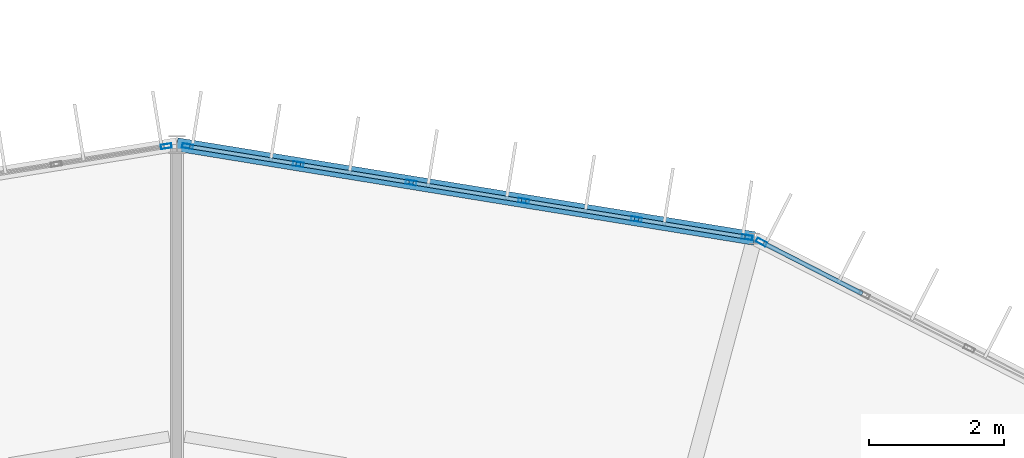
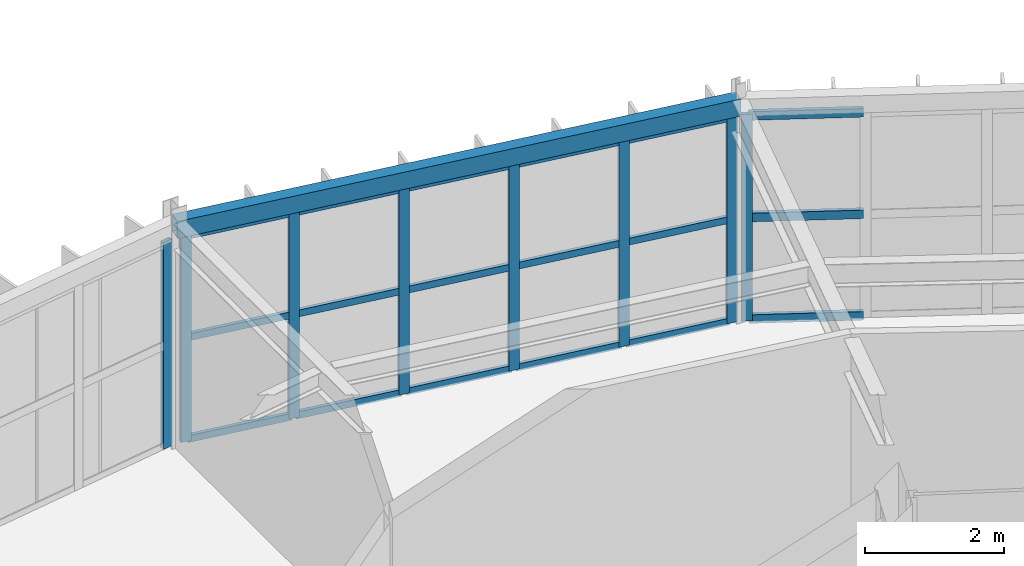
# One storey, part 79 of 130: 26 members, 1 beam, 3 elements without a shape of their own.
"""IFC4 building model written with IfcOpenShell, lengths in metres."""

from ifc_helpers import new_model, si_unit, direction, frame, origin, origin_2d, place, context, subcontext, project, spatial, hollow_rectangle, extrude, material, material_profile, profile_set, type_object, element, aggregate, save


model = new_model("IFC4")

# Units and contexts
model_context = context("Model", 3, precision=1e-05, world=origin(), true_north=direction((0.0, 1.0)))
body_context = subcontext(model_context, "Body", "Model", "MODEL_VIEW")
ifc_project = project(units=[si_unit("LENGTHUNIT", "METRE"), si_unit("AREAUNIT", "SQUARE_METRE"), si_unit("VOLUMEUNIT", "CUBIC_METRE"), si_unit("PLANEANGLEUNIT", "RADIAN"), si_unit("MASSUNIT", "GRAM", prefix="KILO")], contexts=[model_context])

# Site, building, storey
site_placement = place(None, origin())
site = spatial("IfcSite", under=ifc_project, at=site_placement, CompositionType="ELEMENT")
building_placement = place(site_placement, origin())
building = spatial("IfcBuilding", under=site, at=building_placement, Name="Karori Crest Natural Sciences Institute", CompositionType="ELEMENT")
storey_placement = place(building_placement, frame((0.0, 0.0, 17.5)))
storey = spatial("IfcBuildingStorey", under=building, at=storey_placement, Name="L04", CompositionType="ELEMENT", Elevation=17.5)

# Beam
ifc_material_1 = material(Name="Hollow structural steel AS/NZS 1163 Grade C350", Category="steel")
ifc_material_profile_1 = material_profile(ifc_material_1, hollow_rectangle(XDim=0.199951171875, YDim=0.300048828125, WallThickness=0.010009765625, at=origin_2d()), Name="RHS300x200x10")
ifc_profile_set_1 = profile_set([ifc_material_profile_1], Name="Hollow structural steel AS/NZS 1163 Grade C350")
beam_type = type_object("IfcBeamType", Name="BT-15", PredefinedType="SPANDREL", material=ifc_profile_set_1)
beam_placement = place(storey_placement, frame((74.94091796875, 89.309814453125, 3.7900390625), z_axis=(-0.987012055933, 0.160646199591, 0.0), x_axis=(-0.160646199591, -0.987012055933, 0.0)))
element("IfcBeam", 1, at=beam_placement, inside=storey, type_object=beam_type, Name="Beam B-0469", PredefinedType="SPANDREL", context=body_context, shape_type="SweptSolid", body=[
    extrude(hollow_rectangle(XDim=0.199951171875, YDim=0.300048828125, WallThickness=0.010009765625, at=origin_2d()), origin(), (0.0, 0.0, 1.0), 8.6533203125),
])

# Curtain wall, member
ifc_material_2 = material(Name="Anodised architectural aluminium 6063-T6", Category="aluminium")
curtain_wall_type_1 = type_object("IfcCurtainWallType", Name="CWT-05", PredefinedType="NOTDEFINED", material=ifc_material_2)
curtain_wall_1_placement = place(storey_placement, origin())
curtain_wall_1 = element("IfcCurtainWall", 2, at=curtain_wall_1_placement, inside=storey, type_object=curtain_wall_type_1, Name="Curtain wall CW-0142", PredefinedType="NOTDEFINED")
ifc_material_profile_2 = material_profile(ifc_material_2, hollow_rectangle(XDim=0.06494140625, YDim=0.159912109375, WallThickness=0.00390625, at=origin_2d()), Name="CWM160x65x4")
ifc_profile_set_2 = profile_set([ifc_material_profile_2], Name="Anodised architectural aluminium 6063-T6")
member_type_1 = type_object("IfcMemberType", Name="CWM-01", PredefinedType="MULLION", material=ifc_profile_set_2)
member_1_placement = place(storey_placement, frame((75.045166015625, 89.256591796875, 0.0), z_axis=(0.0, 0.0, 1.0), x_axis=(0.455828878252, 0.890067432138, 0.0)))
member_1 = element("IfcMember", 3, at=member_1_placement, type_object=member_type_1, Name="CW-0142 mullion 1", PredefinedType="MULLION", context=body_context, shape_type="SweptSolid", body=[
    extrude(hollow_rectangle(XDim=0.06494140625, YDim=0.159912109375, WallThickness=0.00390625, at=origin_2d()), origin(), (0.0, 0.0, 1.0), 3.625),
])

# Curtain wall, members
curtain_wall_type_2 = type_object("IfcCurtainWallType", Name="CWT-06", PredefinedType="NOTDEFINED", material=ifc_material_2)
curtain_wall_2_placement = place(storey_placement, origin())
curtain_wall_2 = element("IfcCurtainWall", 4, at=curtain_wall_2_placement, inside=storey, type_object=curtain_wall_type_2, Name="Curtain wall CW-0144", PredefinedType="NOTDEFINED")
member_2_placement = place(storey_placement, frame((66.55810546875, 90.67431640625, 0.0), z_axis=(0.0, 0.0, 1.0), x_axis=(0.160655493101, 0.987010543275, 0.0)))
member_2 = element("IfcMember", 5, at=member_2_placement, type_object=member_type_1, Name="CW-0144 mullion 1", PredefinedType="MULLION", context=body_context, shape_type="SweptSolid", body=[
    extrude(hollow_rectangle(XDim=0.06494140625, YDim=0.159912109375, WallThickness=0.00390625, at=origin_2d()), origin(), (0.0, 0.0, 1.0), 3.625),
])
member_3_placement = place(storey_placement, frame((68.194091796875, 90.407958984375, 0.0), z_axis=(0.0, 0.0, 1.0), x_axis=(0.160655493101, 0.987010543275, 0.0)))
member_3 = element("IfcMember", 6, at=member_3_placement, type_object=member_type_1, Name="CW-0144 mullion 2", PredefinedType="MULLION", context=body_context, shape_type="SweptSolid", body=[
    extrude(hollow_rectangle(XDim=0.06494140625, YDim=0.159912109375, WallThickness=0.00390625, at=origin_2d()), origin(), (0.0, 0.0, 1.0), 3.625),
])
member_4_placement = place(storey_placement, frame((69.862060546875, 90.136474609375, 0.0), z_axis=(0.0, 0.0, 1.0), x_axis=(0.160655493101, 0.987010543275, 0.0)))
member_4 = element("IfcMember", 7, at=member_4_placement, type_object=member_type_1, Name="CW-0144 mullion 3", PredefinedType="MULLION", context=body_context, shape_type="SweptSolid", body=[
    extrude(hollow_rectangle(XDim=0.06494140625, YDim=0.159912109375, WallThickness=0.00390625, at=origin_2d()), origin(), (0.0, 0.0, 1.0), 3.625),
])
member_5_placement = place(storey_placement, frame((71.530029296875, 89.864990234375, 0.0), z_axis=(0.0, 0.0, 1.0), x_axis=(0.160655493101, 0.987010543275, 0.0)))
member_5 = element("IfcMember", 8, at=member_5_placement, type_object=member_type_1, Name="CW-0144 mullion 4", PredefinedType="MULLION", context=body_context, shape_type="SweptSolid", body=[
    extrude(hollow_rectangle(XDim=0.06494140625, YDim=0.159912109375, WallThickness=0.00390625, at=origin_2d()), origin(), (0.0, 0.0, 1.0), 3.625),
])
member_6_placement = place(storey_placement, frame((73.197998046875, 89.593505859375, 0.0), z_axis=(0.0, 0.0, 1.0), x_axis=(0.160655493101, 0.987010543275, 0.0)))
member_6 = element("IfcMember", 9, at=member_6_placement, type_object=member_type_1, Name="CW-0144 mullion 5", PredefinedType="MULLION", context=body_context, shape_type="SweptSolid", body=[
    extrude(hollow_rectangle(XDim=0.06494140625, YDim=0.159912109375, WallThickness=0.00390625, at=origin_2d()), origin(), (0.0, 0.0, 1.0), 3.625),
])
member_7_placement = place(storey_placement, frame((74.833984375, 89.3271484375, 0.0), z_axis=(0.0, 0.0, 1.0), x_axis=(0.160655493101, 0.987010543275, 0.0)))
member_7 = element("IfcMember", 10, at=member_7_placement, type_object=member_type_1, Name="CW-0144 mullion 6", PredefinedType="MULLION", context=body_context, shape_type="SweptSolid", body=[
    extrude(hollow_rectangle(XDim=0.06494140625, YDim=0.159912109375, WallThickness=0.00390625, at=origin_2d()), origin(), (0.0, 0.0, 1.0), 3.625),
])

# Curtain wall, member
curtain_wall_type_3 = type_object("IfcCurtainWallType", Name="CWT-07", PredefinedType="NOTDEFINED", material=ifc_material_2)
curtain_wall_3_placement = place(storey_placement, origin())
curtain_wall_3 = element("IfcCurtainWall", 11, at=curtain_wall_3_placement, inside=storey, type_object=curtain_wall_type_3, Name="Curtain wall CW-0145", PredefinedType="NOTDEFINED")
member_8_placement = place(storey_placement, frame((66.241943359375, 90.67431640625, 0.0), z_axis=(0.0, 0.0, 1.0), x_axis=(-0.160650246484, 0.987011397252, 0.0)))
member_8 = element("IfcMember", 12, at=member_8_placement, type_object=member_type_1, Name="CW-0145 mullion 6", PredefinedType="MULLION", context=body_context, shape_type="SweptSolid", body=[
    extrude(hollow_rectangle(XDim=0.06494140625, YDim=0.159912109375, WallThickness=0.00390625, at=origin_2d()), origin(), (0.0, 0.0, 1.0), 3.625),
])
aggregate(curtain_wall_3, [member_8])

# Member
ifc_material_profile_3 = material_profile(ifc_material_2, hollow_rectangle(XDim=0.06005859375, YDim=0.1201171875, WallThickness=0.00390625, at=origin_2d()), Name="CWT120x60x4")
ifc_profile_set_3 = profile_set([ifc_material_profile_3], Name="Anodised architectural aluminium 6063-T6")
member_type_2 = type_object("IfcMemberType", Name="CWT-TR1", PredefinedType="USERDEFINED", material=ifc_profile_set_3)
member_9_placement = place(storey_placement, frame((66.590087890625, 90.6689453125, 0.030029296875), z_axis=(0.987032702113, -0.160519297781, 0.0), x_axis=(0.160519297781, 0.987032702113, 0.0)))
member_9 = element("IfcMember", 13, at=member_9_placement, type_object=member_type_2, Name="CW-0144 transom 1.1", ObjectType="TRANSOM", PredefinedType="USERDEFINED", context=body_context, shape_type="SweptSolid", body=[
    extrude(hollow_rectangle(XDim=0.06005859375, YDim=0.1201171875, WallThickness=0.00390625, at=origin_2d()), origin(), (0.0, 0.0, 1.0), 1.592529296875),
])

member_10_placement = place(storey_placement, frame((66.590087890625, 90.6689453125, 1.8125), z_axis=(0.987032702113, -0.160519297781, 0.0), x_axis=(0.160519297781, 0.987032702113, 0.0)))
member_10 = element("IfcMember", 14, at=member_10_placement, type_object=member_type_2, Name="CW-0144 transom 1.2", ObjectType="TRANSOM", PredefinedType="USERDEFINED", context=body_context, shape_type="SweptSolid", body=[
    extrude(hollow_rectangle(XDim=0.06005859375, YDim=0.1201171875, WallThickness=0.00390625, at=origin_2d()), origin(), (0.0, 0.0, 1.0), 1.592529296875),
])

member_11_placement = place(storey_placement, frame((66.590087890625, 90.6689453125, 3.594970703125), z_axis=(0.987032702113, -0.160519297781, 0.0), x_axis=(0.160519297781, 0.987032702113, 0.0)))
member_11 = element("IfcMember", 15, at=member_11_placement, type_object=member_type_2, Name="CW-0144 transom 1.3", ObjectType="TRANSOM", PredefinedType="USERDEFINED", context=body_context, shape_type="SweptSolid", body=[
    extrude(hollow_rectangle(XDim=0.06005859375, YDim=0.1201171875, WallThickness=0.00390625, at=origin_2d()), origin(), (0.0, 0.0, 1.0), 1.592529296875),
])

member_12_placement = place(storey_placement, frame((68.22607421875, 90.40283203125, 0.030029296875), z_axis=(0.98699230398, -0.160767508793, 0.0), x_axis=(0.160767508793, 0.98699230398, 0.0)))
member_12 = element("IfcMember", 16, at=member_12_placement, type_object=member_type_2, Name="CW-0144 transom 2.1", ObjectType="TRANSOM", PredefinedType="USERDEFINED", context=body_context, shape_type="SweptSolid", body=[
    extrude(hollow_rectangle(XDim=0.06005859375, YDim=0.1201171875, WallThickness=0.00390625, at=origin_2d()), origin(), (0.0, 0.0, 1.0), 1.625),
])

member_13_placement = place(storey_placement, frame((68.22607421875, 90.40283203125, 1.8125), z_axis=(0.98699230398, -0.160767508793, 0.0), x_axis=(0.160767508793, 0.98699230398, 0.0)))
member_13 = element("IfcMember", 17, at=member_13_placement, type_object=member_type_2, Name="CW-0144 transom 2.2", ObjectType="TRANSOM", PredefinedType="USERDEFINED", context=body_context, shape_type="SweptSolid", body=[
    extrude(hollow_rectangle(XDim=0.06005859375, YDim=0.1201171875, WallThickness=0.00390625, at=origin_2d()), origin(), (0.0, 0.0, 1.0), 1.625),
])

member_14_placement = place(storey_placement, frame((68.22607421875, 90.40283203125, 3.594970703125), z_axis=(0.98699230398, -0.160767508793, 0.0), x_axis=(0.160767508793, 0.98699230398, 0.0)))
member_14 = element("IfcMember", 18, at=member_14_placement, type_object=member_type_2, Name="CW-0144 transom 2.3", ObjectType="TRANSOM", PredefinedType="USERDEFINED", context=body_context, shape_type="SweptSolid", body=[
    extrude(hollow_rectangle(XDim=0.06005859375, YDim=0.1201171875, WallThickness=0.00390625, at=origin_2d()), origin(), (0.0, 0.0, 1.0), 1.625),
])

member_15_placement = place(storey_placement, frame((69.89404296875, 90.13134765625, 0.030029296875), z_axis=(0.98699230398, -0.160767508793, 0.0), x_axis=(0.160767508793, 0.98699230398, 0.0)))
member_15 = element("IfcMember", 19, at=member_15_placement, type_object=member_type_2, Name="CW-0144 transom 3.1", ObjectType="TRANSOM", PredefinedType="USERDEFINED", context=body_context, shape_type="SweptSolid", body=[
    extrude(hollow_rectangle(XDim=0.06005859375, YDim=0.1201171875, WallThickness=0.00390625, at=origin_2d()), origin(), (0.0, 0.0, 1.0), 1.625),
])

member_16_placement = place(storey_placement, frame((69.89404296875, 90.13134765625, 1.8125), z_axis=(0.98699230398, -0.160767508793, 0.0), x_axis=(0.160767508793, 0.98699230398, 0.0)))
member_16 = element("IfcMember", 20, at=member_16_placement, type_object=member_type_2, Name="CW-0144 transom 3.2", ObjectType="TRANSOM", PredefinedType="USERDEFINED", context=body_context, shape_type="SweptSolid", body=[
    extrude(hollow_rectangle(XDim=0.06005859375, YDim=0.1201171875, WallThickness=0.00390625, at=origin_2d()), origin(), (0.0, 0.0, 1.0), 1.625),
])

member_17_placement = place(storey_placement, frame((69.89404296875, 90.13134765625, 3.594970703125), z_axis=(0.98699230398, -0.160767508793, 0.0), x_axis=(0.160767508793, 0.98699230398, 0.0)))
member_17 = element("IfcMember", 21, at=member_17_placement, type_object=member_type_2, Name="CW-0144 transom 3.3", ObjectType="TRANSOM", PredefinedType="USERDEFINED", context=body_context, shape_type="SweptSolid", body=[
    extrude(hollow_rectangle(XDim=0.06005859375, YDim=0.1201171875, WallThickness=0.00390625, at=origin_2d()), origin(), (0.0, 0.0, 1.0), 1.625),
])

member_18_placement = place(storey_placement, frame((71.56201171875, 89.85986328125, 0.030029296875), z_axis=(0.986996186507, -0.160743671166, 0.0), x_axis=(0.160743671166, 0.986996186507, 0.0)))
member_18 = element("IfcMember", 22, at=member_18_placement, type_object=member_type_2, Name="CW-0144 transom 4.1", ObjectType="TRANSOM", PredefinedType="USERDEFINED", context=body_context, shape_type="SweptSolid", body=[
    extrude(hollow_rectangle(XDim=0.06005859375, YDim=0.1201171875, WallThickness=0.00390625, at=origin_2d()), origin(), (0.0, 0.0, 1.0), 1.625244140625),
])

member_19_placement = place(storey_placement, frame((71.56201171875, 89.85986328125, 1.8125), z_axis=(0.986996186507, -0.160743671166, 0.0), x_axis=(0.160743671166, 0.986996186507, 0.0)))
member_19 = element("IfcMember", 23, at=member_19_placement, type_object=member_type_2, Name="CW-0144 transom 4.2", ObjectType="TRANSOM", PredefinedType="USERDEFINED", context=body_context, shape_type="SweptSolid", body=[
    extrude(hollow_rectangle(XDim=0.06005859375, YDim=0.1201171875, WallThickness=0.00390625, at=origin_2d()), origin(), (0.0, 0.0, 1.0), 1.625244140625),
])

member_20_placement = place(storey_placement, frame((71.56201171875, 89.85986328125, 3.594970703125), z_axis=(0.986996186507, -0.160743671166, 0.0), x_axis=(0.160743671166, 0.986996186507, 0.0)))
member_20 = element("IfcMember", 24, at=member_20_placement, type_object=member_type_2, Name="CW-0144 transom 4.3", ObjectType="TRANSOM", PredefinedType="USERDEFINED", context=body_context, shape_type="SweptSolid", body=[
    extrude(hollow_rectangle(XDim=0.06005859375, YDim=0.1201171875, WallThickness=0.00390625, at=origin_2d()), origin(), (0.0, 0.0, 1.0), 1.625244140625),
])

member_21_placement = place(storey_placement, frame((73.22998046875, 89.58837890625, 0.030029296875), z_axis=(0.987008400747, -0.16066865548, 0.0), x_axis=(0.16066865548, 0.987008400747, 0.0)))
member_21 = element("IfcMember", 25, at=member_21_placement, type_object=member_type_2, Name="CW-0144 transom 5.1", ObjectType="TRANSOM", PredefinedType="USERDEFINED", context=body_context, shape_type="SweptSolid", body=[
    extrude(hollow_rectangle(XDim=0.06005859375, YDim=0.1201171875, WallThickness=0.00390625, at=origin_2d()), origin(), (0.0, 0.0, 1.0), 1.592529296875),
])

member_22_placement = place(storey_placement, frame((73.22998046875, 89.58837890625, 1.8125), z_axis=(0.987008400747, -0.16066865548, 0.0), x_axis=(0.16066865548, 0.987008400747, 0.0)))
member_22 = element("IfcMember", 26, at=member_22_placement, type_object=member_type_2, Name="CW-0144 transom 5.2", ObjectType="TRANSOM", PredefinedType="USERDEFINED", context=body_context, shape_type="SweptSolid", body=[
    extrude(hollow_rectangle(XDim=0.06005859375, YDim=0.1201171875, WallThickness=0.00390625, at=origin_2d()), origin(), (0.0, 0.0, 1.0), 1.592529296875),
])

member_23_placement = place(storey_placement, frame((73.22998046875, 89.58837890625, 3.594970703125), z_axis=(0.987008400747, -0.16066865548, 0.0), x_axis=(0.16066865548, 0.987008400747, 0.0)))
member_23 = element("IfcMember", 27, at=member_23_placement, type_object=member_type_2, Name="CW-0144 transom 5.3", ObjectType="TRANSOM", PredefinedType="USERDEFINED", context=body_context, shape_type="SweptSolid", body=[
    extrude(hollow_rectangle(XDim=0.06005859375, YDim=0.1201171875, WallThickness=0.00390625, at=origin_2d()), origin(), (0.0, 0.0, 1.0), 1.592529296875),
])

aggregate(curtain_wall_2, [member_2, member_3, member_4, member_5, member_6, member_7, member_9, member_10, member_11, member_12, member_13, member_14, member_15, member_16, member_17, member_18, member_19, member_20, member_21, member_22, member_23])

ifc_material_profile_4 = material_profile(ifc_material_2, hollow_rectangle(XDim=0.06494140625, YDim=0.14990234375, WallThickness=0.00390625, at=origin_2d()), Name="CWT150x65x4")
ifc_profile_set_4 = profile_set([ifc_material_profile_4], Name="Anodised architectural aluminium 6063-T6")
member_type_3 = type_object("IfcMemberType", Name="CWT-TR2", PredefinedType="USERDEFINED", material=ifc_profile_set_4)
member_24_placement = place(storey_placement, frame((75.073974609375, 89.24169921875, 0.032470703125), z_axis=(0.890084461025, -0.455795625518, 0.0), x_axis=(0.455795625518, 0.890084461025, 0.0)))
member_24 = element("IfcMember", 28, at=member_24_placement, type_object=member_type_3, Name="CW-0142 transom 1.1", ObjectType="TRANSOM", PredefinedType="USERDEFINED", context=body_context, shape_type="SweptSolid", body=[
    extrude(hollow_rectangle(XDim=0.06494140625, YDim=0.14990234375, WallThickness=0.00390625, at=origin_2d()), origin(), (0.0, 0.0, 1.0), 1.64599609375),
])

member_25_placement = place(storey_placement, frame((75.073974609375, 89.24169921875, 1.8125), z_axis=(0.890084461025, -0.455795625518, 0.0), x_axis=(0.455795625518, 0.890084461025, 0.0)))
member_25 = element("IfcMember", 29, at=member_25_placement, type_object=member_type_3, Name="CW-0142 transom 1.2", ObjectType="TRANSOM", PredefinedType="USERDEFINED", context=body_context, shape_type="SweptSolid", body=[
    extrude(hollow_rectangle(XDim=0.06494140625, YDim=0.14990234375, WallThickness=0.00390625, at=origin_2d()), origin(), (0.0, 0.0, 1.0), 1.64599609375),
])

member_26_placement = place(storey_placement, frame((75.073974609375, 89.24169921875, 3.592529296875), z_axis=(0.890084461025, -0.455795625518, 0.0), x_axis=(0.455795625518, 0.890084461025, 0.0)))
member_26 = element("IfcMember", 30, at=member_26_placement, type_object=member_type_3, Name="CW-0142 transom 1.3", ObjectType="TRANSOM", PredefinedType="USERDEFINED", context=body_context, shape_type="SweptSolid", body=[
    extrude(hollow_rectangle(XDim=0.06494140625, YDim=0.14990234375, WallThickness=0.00390625, at=origin_2d()), origin(), (0.0, 0.0, 1.0), 1.64599609375),
])

aggregate(curtain_wall_1, [member_1, member_24, member_25, member_26])

save(model, "model.ifc")
